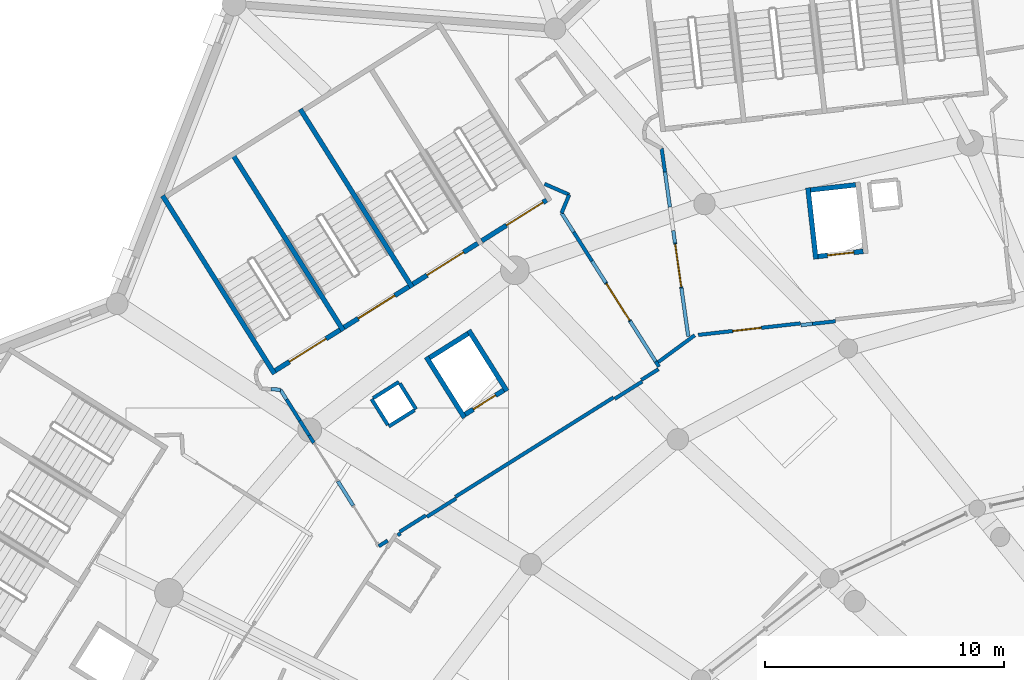
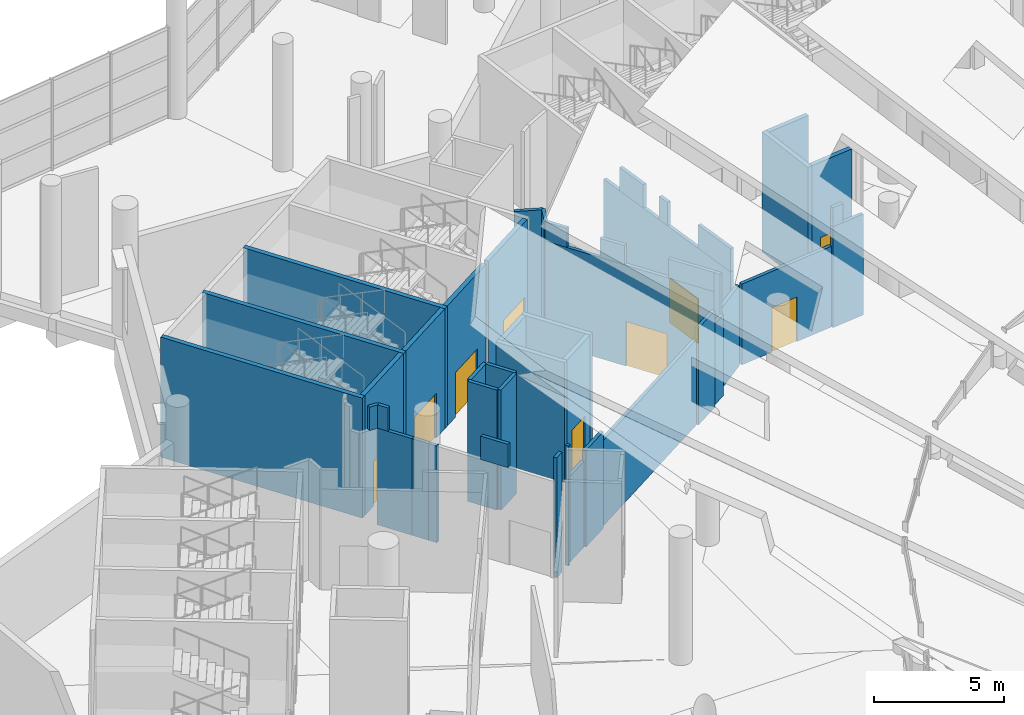
# One storey, part 163 of 249: 46 walls, 9 doors, 9 openings.
"""IFC4 building model written with IfcOpenShell, lengths in metres."""

import ifcopenshell
import ifcopenshell.guid

model = None  # the IFC model being written
_history = None  # IfcOwnerHistory: only IFC2X3 demands one
_inside = {}  # id of a spatial element -> (the spatial element, [elements in it])
_under = {}  # id of a project, library or spatial element -> (it, [spatial elements below it])
_declared = {}  # id of a project -> (the project, [libraries it declares])
_typed = {}  # id of a type object -> (the type object, [elements of that type])
_made_of = {}  # id of a material, layer set ... -> (it, [elements and type objects made of it])


def new_model(schema):
    """Start an empty IFC model of exactly this schema.

    Asked for "IFC4X3", IfcOpenShell would pick the latest addendum, in which some entities
    have other attributes; the version numbers below select the first issue.
    IFC2X3 requires an IfcOwnerHistory on every rooted entity: one is made here for all.
    """
    global model, _history
    if schema == "IFC4X3":
        model = ifcopenshell.file(schema_version=(4, 3, 0, 0))
    else:
        model = ifcopenshell.file(schema=schema)
    _inside.clear()
    _under.clear()
    _declared.clear()
    _typed.clear()
    _made_of.clear()
    _history = None
    if model.schema == "IFC2X3":
        org = make("IfcOrganization", Name="unknown")
        user = make(
            "IfcPersonAndOrganization",
            ThePerson=make("IfcPerson", FamilyName="unknown"),
            TheOrganization=org,
        )
        app = make(
            "IfcApplication",
            ApplicationDeveloper=org,
            Version="unknown",
            ApplicationFullName="unknown",
            ApplicationIdentifier="unknown",
        )
        _history = make(
            "IfcOwnerHistory",
            OwningUser=user,
            OwningApplication=app,
            ChangeAction="ADDED",
            CreationDate=0,
        )
    return model


def make(cls, **values):
    """One entity of the class cls with the attributes given. An attribute that is None is left unset."""
    return model.create_entity(
        cls, **{name: value for name, value in values.items() if value is not None}
    )


def rooted(cls, **values):
    """An entity with a GlobalId (a new one), such as an element, a storey or a relation."""
    return make(cls, GlobalId=ifcopenshell.guid.new(), OwnerHistory=_history, **values)


def si_unit(unit_type, name, prefix=None):
    """IfcSIUnit, for example si_unit("LENGTHUNIT", "METRE", prefix="MILLI")."""
    return make("IfcSIUnit", UnitType=unit_type, Prefix=prefix, Name=name)


def assignment(units):
    """IfcUnitAssignment: the units of a project."""
    return None if units is None else make("IfcUnitAssignment", Units=units)


def point(xyz):
    """IfcCartesianPoint."""
    return None if xyz is None else make("IfcCartesianPoint", Coordinates=xyz)


def direction(xyz):
    """IfcDirection."""
    return None if xyz is None else make("IfcDirection", DirectionRatios=xyz)


def frame(location, z_axis=None, x_axis=None):
    """IfcAxis2Placement3D, a coordinate frame: its origin and axes. An axis left out is left unset."""
    return make(
        "IfcAxis2Placement3D",
        Location=point(location),
        Axis=direction(z_axis),
        RefDirection=direction(x_axis),
    )


def frame_2d(location, x_axis=None):
    """IfcAxis2Placement2D, a coordinate frame in the plane: its origin and x axis."""
    return make(
        "IfcAxis2Placement2D", Location=point(location), RefDirection=direction(x_axis)
    )


def origin():
    """The frame at (0, 0, 0) with its axes left unset."""
    return frame((0.0, 0.0, 0.0))


def place(relative_to, where):
    """IfcLocalPlacement: puts the frame where relative to a parent placement (None: the world)."""
    return make(
        "IfcLocalPlacement", PlacementRelTo=relative_to, RelativePlacement=where
    )


def context(
    kind, dimensions, precision=None, world=None, true_north=None, identifier=None
):
    """IfcGeometricRepresentationContext, for example the 3D "Model" context."""
    return make(
        "IfcGeometricRepresentationContext",
        ContextIdentifier=identifier,
        ContextType=kind,
        CoordinateSpaceDimension=dimensions,
        Precision=precision,
        WorldCoordinateSystem=world,
        TrueNorth=true_north,
    )


def subcontext(parent, identifier, kind, view, scale=None):
    """IfcGeometricRepresentationSubContext, for example "Body" below "Model"."""
    return make(
        "IfcGeometricRepresentationSubContext",
        ContextIdentifier=identifier,
        ContextType=kind,
        ParentContext=parent,
        TargetScale=scale,
        TargetView=view,
    )


def project(units=None, contexts=None):
    """IfcProject with its units and contexts."""
    return rooted(
        "IfcProject",
        Name="project",
        RepresentationContexts=contexts,
        UnitsInContext=assignment(units),
    )


def spatial(cls, under=None, at=None, **own):
    """A site, building, storey or space (cls), placed at a placement, below another one or the project."""
    s = rooted(cls, ObjectPlacement=at, **own)
    if under is not None:
        _under.setdefault(under.id(), (under, []))[1].append(s)
    return s


def profile(cls, at=None, kind="AREA", **sizes):
    """A parametric profile (cls). Its sizes go by their IFC names, for example OverallWidth=200.0."""
    return make(cls, ProfileType=kind, Position=at, **sizes)


def rectangle(**sizes):
    """IfcRectangleProfileDef."""
    return profile("IfcRectangleProfileDef", **sizes)


def extrude(swept, where, along, depth):
    """IfcExtrudedAreaSolid: the profile swept, set in the frame where, extruded along a direction by depth."""
    return make(
        "IfcExtrudedAreaSolid",
        SweptArea=swept,
        Position=where,
        ExtrudedDirection=direction(along),
        Depth=depth,
    )


def shape(context_of_items, identifier, shape_type, items):
    """IfcShapeRepresentation: the items that make up one representation, for example the "Body"."""
    return make(
        "IfcShapeRepresentation",
        ContextOfItems=context_of_items,
        RepresentationIdentifier=identifier,
        RepresentationType=shape_type,
        Items=items,
    )


def material(Name=None, Category=None):
    """IfcMaterial."""
    return make("IfcMaterial", Name=Name, Category=Category)


def layer(
    of_material, thickness, ventilated=None, Name=None, Category=None, Priority=None
):
    """IfcMaterialLayer: one layer of a wall or slab, of a material (None: an air gap)."""
    return make(
        "IfcMaterialLayer",
        Material=of_material,
        LayerThickness=thickness,
        IsVentilated=ventilated,
        Name=Name,
        Category=Category,
        Priority=Priority,
    )


def layer_set(layers, Name=None):
    """IfcMaterialLayerSet."""
    return make("IfcMaterialLayerSet", MaterialLayers=layers, LayerSetName=Name)


def made_of(thing, what):
    """Note that an element or type object is made of a material, layer set ...; save() writes the relation."""
    if what is not None:
        _made_of.setdefault(what.id(), (what, []))[1].append(thing)
    return thing


def type_object(cls, material=None, **own):
    """A type object (cls), such as IfcWallType, which elements share."""
    return made_of(rooted(cls, **own), material)


def element(
    cls,
    number,
    at=None,
    inside=None,
    cuts=None,
    type_object=None,
    material=None,
    context=None,
    identifier="Body",
    shape_type=None,
    held_by="IfcProductDefinitionShape",
    body=None,
    shapes=None,
    **own,
):
    """One element of the class cls, such as IfcWall. Its Tag is "e" and its number.

    at: its placement. inside: the storey or other place that contains it. cuts: it is an
    opening in that element (IfcRelVoidsElement). A single representation is given by context,
    identifier, shape_type and body (its items); several are given by shapes. held_by: the class
    of the entity that holds the representations. save() writes the other relations.
    """
    e = rooted(cls, Tag="e%d" % number, ObjectPlacement=at, **own)
    if body is not None:
        shapes = [shape(context, identifier, shape_type, body)]
    if shapes is not None:
        e.Representation = make(held_by, Representations=shapes)
    if inside is not None:
        _inside.setdefault(inside.id(), (inside, []))[1].append(e)
    if cuts is not None:
        rooted(
            "IfcRelVoidsElement", RelatingBuildingElement=cuts, RelatedOpeningElement=e
        )
    if type_object is not None:
        _typed.setdefault(type_object.id(), (type_object, []))[1].append(e)
    return made_of(e, material)


def fill(opening, filler):
    """IfcRelFillsElement: the door or window that sits in an opening."""
    return rooted(
        "IfcRelFillsElement",
        RelatingOpeningElement=opening,
        RelatedBuildingElement=filler,
    )


def aggregate(whole, parts):
    """IfcRelAggregates: a whole, such as a stair, and the parts it consists of."""
    return rooted("IfcRelAggregates", RelatingObject=whole, RelatedObjects=parts)


def save(model, path):
    """Write the relations noted so far, then the file.

    IfcRelAggregates (storeys below a building ...), IfcRelContainedInSpatialStructure (elements
    in a storey), IfcRelDefinesByType, IfcRelAssociatesMaterial and IfcRelDeclares: one each for
    every whole, place, type object, material and project.
    """
    for whole, parts in _under.values():
        aggregate(whole, parts)
    for where, things in _inside.values():
        rooted(
            "IfcRelContainedInSpatialStructure",
            RelatedElements=things,
            RelatingStructure=where,
        )
    for kind, things in _typed.values():
        rooted("IfcRelDefinesByType", RelatedObjects=things, RelatingType=kind)
    for what, things in _made_of.values():
        rooted("IfcRelAssociatesMaterial", RelatedObjects=things, RelatingMaterial=what)
    for by, libraries in _declared.values():
        rooted("IfcRelDeclares", RelatingContext=by, RelatedDefinitions=libraries)
    model.write(path)


model = new_model("IFC4")

# Units and contexts
model_context = context("Model", 3, precision=1e-05, world=origin(), true_north=direction((0.0, 1.0)))
body_context = subcontext(model_context, "Body", "Model", "MODEL_VIEW")
ifc_project = project(units=[si_unit("LENGTHUNIT", "METRE"), si_unit("AREAUNIT", "SQUARE_METRE"), si_unit("VOLUMEUNIT", "CUBIC_METRE"), si_unit("PLANEANGLEUNIT", "RADIAN"), si_unit("MASSUNIT", "GRAM", prefix="KILO")], contexts=[model_context])

# Site, building, storey
site_placement = place(None, origin())
site = spatial("IfcSite", under=ifc_project, at=site_placement, CompositionType="ELEMENT")
building_placement = place(site_placement, origin())
building = spatial("IfcBuilding", under=site, at=building_placement, Name="Meseta Stadium", CompositionType="ELEMENT")
storey_placement = place(building_placement, frame((0.0, 0.0, 12.0)))
storey = spatial("IfcBuildingStorey", under=building, at=storey_placement, Name="L02", CompositionType="ELEMENT", Elevation=12.0)

# Walls
ifc_material_1 = material(Name="Concrete C40/50", Category="concrete")
ifc_layer_1 = layer(ifc_material_1, 0.199951171875)
ifc_layer_set_1 = layer_set([ifc_layer_1], Name="Core divider wall 200")
wall_type_1 = type_object("IfcWallType", Name="Core divider wall 200", PredefinedType="SHEAR", material=ifc_layer_set_1)
wall_1_placement = place(storey_placement, frame((-75.5869140625, 90.696533203125, 0.0), z_axis=(0.0, 0.0, 1.0), x_axis=(0.532044832901, -0.846716183726, 0.0)))
element("IfcWall", 1, at=wall_1_placement, inside=storey, type_object=wall_type_1, Name="Core 13 L02 stair B divider wall", PredefinedType="SHEAR", context=body_context, shape_type="SweptSolid", body=[
    extrude(rectangle(XDim=8.7998046875, YDim=0.199951171875, at=frame_2d((4.39990234375, 0.0))), origin(), (0.0, 0.0, 1.0), 5.64990234375),
])
ifc_material_2 = material(Name="Concrete C40/50", Category="concrete")
ifc_layer_2 = layer(ifc_material_2, 0.199951171875)
ifc_layer_set_2 = layer_set([ifc_layer_2], Name="Core shaft wall 200")
wall_type_2 = type_object("IfcWallType", Name="Core shaft wall 200", PredefinedType="SHEAR", material=ifc_layer_set_2)
wall_2_placement = place(storey_placement, frame((-51.4755859375, 89.218505859375, 0.0), z_axis=(0.0, 0.0, 1.0), x_axis=(0.111976588553, -0.993710845073, 0.0)))
element("IfcWall", 2, at=wall_2_placement, inside=storey, type_object=wall_type_2, Name="Core 12 L02 lift shaft wall right", PredefinedType="SHEAR", context=body_context, shape_type="SweptSolid", body=[
    extrude(rectangle(XDim=3.0, YDim=0.199951171875, at=frame_2d((1.5, 0.0))), origin(), (0.0, 0.0, 1.0), 5.64990234375),
])
wall_3_placement = place(storey_placement, frame((-49.476806640625, 89.343017578125, 0.0), z_axis=(0.0, 0.0, 1.0), x_axis=(-0.993718105662, -0.11191213732, 0.0)))
element("IfcWall", 3, at=wall_3_placement, inside=storey, type_object=wall_type_2, Name="Core 12 L02 lift shaft back wall", PredefinedType="SHEAR", context=body_context, shape_type="SweptSolid", body=[
    extrude(rectangle(XDim=1.900146484375, YDim=0.199951171875, at=frame_2d((0.9501953125, 0.0))), origin(), (0.0, 0.0, 1.0), 5.64990234375),
])

# Wall, opening, door
wall_4_placement = place(storey_placement, frame((-49.163330078125, 86.560791015625, 0.0), z_axis=(0.0, 0.0, 1.0), x_axis=(-0.993703808847, -0.112039012324, 0.0)))
wall_4 = element("IfcWall", 4, at=wall_4_placement, inside=storey, type_object=wall_type_2, Name="Core 12 L02 lift shaft front wall", PredefinedType="SHEAR", context=body_context, shape_type="SweptSolid", body=[
    extrude(rectangle(XDim=1.900146484375, YDim=0.199951171875, at=frame_2d((0.9501953125, 0.0))), origin(), (0.0, 0.0, 1.0), 5.64990234375),
])
opening_1_placement = place(wall_4_placement, frame((0.39990234375, 0.0, 0.0)))
opening_1 = element("IfcOpeningElement", 5, at=opening_1_placement, cuts=wall_4, Name="Opening LD66", PredefinedType="OPENING", context=body_context, shape_type="SweptSolid", body=[
    extrude(rectangle(XDim=1.10009765625, YDim=2.10009765625, at=frame_2d((0.550048828125, 1.050048828125))), frame((0.0, 0.10986328125, 0.0), z_axis=(0.0, -1.0, 0.0), x_axis=(1.0, 0.0, 0.0)), (0.0, 0.0, 1.0), 0.219970703125),
])
ifc_material_3 = material(Name="Steel", Category="steel")
door_type_1 = type_object("IfcDoorType", Name="Lift landing door 1100x2100", OperationType="SLIDING_TO_LEFT", PredefinedType="DOOR", material=ifc_material_3)
door_1_placement = place(opening_1_placement, origin())
door_1 = element("IfcDoor", 6, at=door_1_placement, inside=storey, type_object=door_type_1, Name="Lift landing door LD66", OperationType="SLIDING_TO_RIGHT", OverallHeight=2.10009765625, OverallWidth=1.10009765625, PredefinedType="DOOR", context=body_context, shape_type="SweptSolid", body=[
    extrude(rectangle(XDim=1.10009765625, YDim=2.10009765625, at=frame_2d((0.550048828125, 1.050048828125))), frame((0.0, 0.02490234375, 0.0), z_axis=(0.0, -1.0, 0.0), x_axis=(1.0, 0.0, 0.0)), (0.0, 0.0, 1.0), 0.050048828125),
])
fill(opening_1, door_1)

# Walls
for number, where, z_axis, x_axis, name in (
    (7, (-72.7080078125, 92.505615234375, 0.0), (0.0, 0.0, 1.0), (0.532032334759, -0.846724036963, 0.0), "Core 13 L02 stair wall shared"),
    (8, (-78.4658203125, 88.8876953125, 0.0), (0.0, 0.0, 1.0), (0.532032334759, -0.846724036963, 0.0), "Core 13 L02 stair wall B-side"),
):
    element("IfcWall", number, at=place(storey_placement, frame(where, z_axis=z_axis, x_axis=x_axis)), inside=storey, type_object=wall_type_2, Name=name, PredefinedType="SHEAR", context=body_context, shape_type="SweptSolid", body=[
        extrude(rectangle(XDim=8.800048828125, YDim=0.199951171875, at=frame_2d((4.39990234375, 0.0))), origin(), (0.0, 0.0, 1.0), 5.64990234375),
    ])

# Wall, opening, door
wall_5_placement = place(storey_placement, frame((-62.40625, 88.70361328125, 0.0), z_axis=(0.0, 0.0, 1.0), x_axis=(-0.846735733015, -0.532013720158, 0.0)))
wall_5 = element("IfcWall", 9, at=wall_5_placement, inside=storey, type_object=wall_type_2, Name="Core 13 L02 stair A1 inner end wall", PredefinedType="SHEAR", context=body_context, shape_type="SweptSolid", body=[
    extrude(rectangle(XDim=3.199951171875, YDim=0.199951171875, at=frame_2d((1.60009765625, 0.0))), origin(), (0.0, 0.0, 1.0), 5.64990234375),
])
opening_2_placement = place(wall_5_placement, frame((0.177978515625, 0.0, 0.0)))
opening_2 = element("IfcOpeningElement", 10, at=opening_2_placement, cuts=wall_5, Name="Opening D1068", PredefinedType="OPENING", context=body_context, shape_type="SweptSolid", body=[
    extrude(rectangle(XDim=1.800048828125, YDim=2.10009765625, at=frame_2d((0.89990234375, 1.050048828125))), frame((0.0, 0.10986328125, 0.0), z_axis=(0.0, -1.0, 0.0), x_axis=(1.0, 0.0, 0.0)), (0.0, 0.0, 1.0), 0.219970703125),
])
ifc_material_4 = material(Name="Steel", Category="steel")
door_type_2 = type_object("IfcDoorType", Name="Stair door 1800x2100", OperationType="DOUBLE_DOOR_SINGLE_SWING", PredefinedType="DOOR", material=ifc_material_4)
door_2_placement = place(opening_2_placement, origin())
door_2 = element("IfcDoor", 11, at=door_2_placement, inside=storey, type_object=door_type_2, Name="Stair A1 door 13 L02", OperationType="DOUBLE_DOOR_SINGLE_SWING", OverallHeight=2.10009765625, OverallWidth=1.800048828125, PredefinedType="DOOR", context=body_context, shape_type="SweptSolid", body=[
    extrude(rectangle(XDim=1.800048828125, YDim=2.10009765625, at=frame_2d((0.89990234375, 1.050048828125))), frame((0.0, 0.02490234375, 0.0), z_axis=(0.0, -1.0, 0.0), x_axis=(1.0, 0.0, 0.0)), (0.0, 0.0, 1.0), 0.050048828125),
])
fill(opening_2, door_2)

wall_6_placement = place(storey_placement, frame((-65.28515625, 86.894775390625, 0.0), z_axis=(0.0, 0.0, 1.0), x_axis=(-0.846735733015, -0.532013720158, 0.0)))
wall_6 = element("IfcWall", 12, at=wall_6_placement, inside=storey, type_object=wall_type_2, Name="Core 13 L02 stair A2 inner end wall", PredefinedType="SHEAR", context=body_context, shape_type="SweptSolid", body=[
    extrude(rectangle(XDim=3.199951171875, YDim=0.199951171875, at=frame_2d((1.60009765625, 0.0))), origin(), (0.0, 0.0, 1.0), 5.64990234375),
])
opening_3_placement = place(wall_6_placement, frame((0.699951171875, 0.0, 0.0)))
opening_3 = element("IfcOpeningElement", 13, at=opening_3_placement, cuts=wall_6, Name="Opening D1064", PredefinedType="OPENING", context=body_context, shape_type="SweptSolid", body=[
    extrude(rectangle(XDim=1.800048828125, YDim=2.10009765625, at=frame_2d((0.89990234375, 1.050048828125))), frame((0.0, 0.10986328125, 0.0), z_axis=(0.0, -1.0, 0.0), x_axis=(1.0, 0.0, 0.0)), (0.0, 0.0, 1.0), 0.219970703125),
])
door_3_placement = place(opening_3_placement, origin())
door_3 = element("IfcDoor", 14, at=door_3_placement, inside=storey, type_object=door_type_2, Name="Stair A2 door 13 L02", OperationType="DOUBLE_DOOR_SINGLE_SWING", OverallHeight=2.10009765625, OverallWidth=1.800048828125, PredefinedType="DOOR", context=body_context, shape_type="SweptSolid", body=[
    extrude(rectangle(XDim=1.800048828125, YDim=2.10009765625, at=frame_2d((0.89990234375, 1.050048828125))), frame((0.0, 0.02490234375, 0.0), z_axis=(0.0, -1.0, 0.0), x_axis=(1.0, 0.0, 0.0)), (0.0, 0.0, 1.0), 0.050048828125),
])
fill(opening_3, door_3)

wall_7_placement = place(storey_placement, frame((-68.1640625, 85.0859375, 0.0), z_axis=(0.0, 0.0, 1.0), x_axis=(-0.84670136309, -0.53206841829, 0.0)))
wall_7 = element("IfcWall", 15, at=wall_7_placement, inside=storey, type_object=wall_type_2, Name="Core 13 L02 stair B1 inner end wall", PredefinedType="SHEAR", context=body_context, shape_type="SweptSolid", body=[
    extrude(rectangle(XDim=3.199951171875, YDim=0.199951171875, at=frame_2d((1.60009765625, 0.0))), origin(), (0.0, 0.0, 1.0), 5.64990234375),
])
opening_4_placement = place(wall_7_placement, frame((0.699951171875, 0.0, 0.0)))
opening_4 = element("IfcOpeningElement", 16, at=opening_4_placement, cuts=wall_7, Name="Opening D1061", PredefinedType="OPENING", context=body_context, shape_type="SweptSolid", body=[
    extrude(rectangle(XDim=1.800048828125, YDim=2.10009765625, at=frame_2d((0.89990234375, 1.050048828125))), frame((0.0, 0.10986328125, 0.0), z_axis=(0.0, -1.0, 0.0), x_axis=(1.0, 0.0, 0.0)), (0.0, 0.0, 1.0), 0.219970703125),
])
door_4_placement = place(opening_4_placement, origin())
door_4 = element("IfcDoor", 17, at=door_4_placement, inside=storey, type_object=door_type_2, Name="Stair B1 door 13 L02", OperationType="DOUBLE_DOOR_SINGLE_SWING", OverallHeight=2.10009765625, OverallWidth=1.800048828125, PredefinedType="DOOR", context=body_context, shape_type="SweptSolid", body=[
    extrude(rectangle(XDim=1.800048828125, YDim=2.10009765625, at=frame_2d((0.89990234375, 1.050048828125))), frame((0.0, 0.02490234375, 0.0), z_axis=(0.0, -1.0, 0.0), x_axis=(1.0, 0.0, 0.0)), (0.0, 0.0, 1.0), 0.050048828125),
])
fill(opening_4, door_4)

wall_8_placement = place(storey_placement, frame((-71.04296875, 83.27685546875, 0.0), z_axis=(0.0, 0.0, 1.0), x_axis=(-0.846735733015, -0.532013720158, 0.0)))
wall_8 = element("IfcWall", 18, at=wall_8_placement, inside=storey, type_object=wall_type_2, Name="Core 13 L02 stair B2 inner end wall", PredefinedType="SHEAR", context=body_context, shape_type="SweptSolid", body=[
    extrude(rectangle(XDim=3.199951171875, YDim=0.199951171875, at=frame_2d((1.60009765625, 0.0))), origin(), (0.0, 0.0, 1.0), 5.64990234375),
])
opening_5_placement = place(wall_8_placement, frame((0.699951171875, 0.0, 0.0)))
opening_5 = element("IfcOpeningElement", 19, at=opening_5_placement, cuts=wall_8, Name="Opening D1056", PredefinedType="OPENING", context=body_context, shape_type="SweptSolid", body=[
    extrude(rectangle(XDim=1.800048828125, YDim=2.10009765625, at=frame_2d((0.89990234375, 1.050048828125))), frame((0.0, 0.10986328125, 0.0), z_axis=(0.0, -1.0, 0.0), x_axis=(1.0, 0.0, 0.0)), (0.0, 0.0, 1.0), 0.219970703125),
])
door_5_placement = place(opening_5_placement, origin())
door_5 = element("IfcDoor", 20, at=door_5_placement, inside=storey, type_object=door_type_2, Name="Stair B2 door 13 L02", OperationType="DOUBLE_DOOR_SINGLE_SWING", OverallHeight=2.10009765625, OverallWidth=1.800048828125, PredefinedType="DOOR", context=body_context, shape_type="SweptSolid", body=[
    extrude(rectangle(XDim=1.800048828125, YDim=2.10009765625, at=frame_2d((0.89990234375, 1.050048828125))), frame((0.0, 0.02490234375, 0.0), z_axis=(0.0, -1.0, 0.0), x_axis=(1.0, 0.0, 0.0)), (0.0, 0.0, 1.0), 0.050048828125),
])
fill(opening_5, door_5)

# Walls
wall_9_placement = place(storey_placement, frame((-65.658935546875, 83.260498046875, 0.0), z_axis=(0.0, 0.0, 1.0), x_axis=(0.532074873955, -0.846697306306, 0.0)))
element("IfcWall", 21, at=wall_9_placement, inside=storey, type_object=wall_type_2, Name="Core 13 L02 lift shaft wall left", PredefinedType="SHEAR", context=body_context, shape_type="SweptSolid", body=[
    extrude(rectangle(XDim=3.0, YDim=0.199951171875, at=frame_2d((1.5, 0.0))), origin(), (0.0, 0.0, 1.0), 5.64990234375),
])
wall_10_placement = place(storey_placement, frame((-67.43701171875, 82.143310546875, 0.0), z_axis=(0.0, 0.0, 1.0), x_axis=(0.532038212918, -0.84672034344, 0.0)))
element("IfcWall", 22, at=wall_10_placement, inside=storey, type_object=wall_type_2, Name="Core 13 L02 lift shaft wall right", PredefinedType="SHEAR", context=body_context, shape_type="SweptSolid", body=[
    extrude(rectangle(XDim=3.000244140625, YDim=0.199951171875, at=frame_2d((1.5, 0.0))), origin(), (0.0, 0.0, 1.0), 5.64990234375),
])
wall_11_placement = place(storey_placement, frame((-65.6904296875, 83.122802734375, 0.0), z_axis=(0.0, 0.0, 1.0), x_axis=(-0.846674592738, -0.532111016623, 0.0)))
element("IfcWall", 23, at=wall_11_placement, inside=storey, type_object=wall_type_2, Name="Core 13 L02 lift shaft back wall", PredefinedType="SHEAR", context=body_context, shape_type="SweptSolid", body=[
    extrude(rectangle(XDim=1.89990234375, YDim=0.199951171875, at=frame_2d((0.949951171875, 0.0))), origin(), (0.0, 0.0, 1.0), 5.64990234375),
])

# Wall, opening, door
wall_12_placement = place(storey_placement, frame((-64.20068359375, 80.751708984375, 0.0), z_axis=(0.0, 0.0, 1.0), x_axis=(-0.846768850524, -0.531961007765, 0.0)))
wall_12 = element("IfcWall", 24, at=wall_12_placement, inside=storey, type_object=wall_type_2, Name="Core 13 L02 lift shaft front wall", PredefinedType="SHEAR", context=body_context, shape_type="SweptSolid", body=[
    extrude(rectangle(XDim=1.900146484375, YDim=0.199951171875, at=frame_2d((0.9501953125, 0.0))), origin(), (0.0, 0.0, 1.0), 5.64990234375),
])
opening_6_placement = place(wall_12_placement, frame((0.39990234375, 0.0, 0.0)))
opening_6 = element("IfcOpeningElement", 25, at=opening_6_placement, cuts=wall_12, Name="Opening LD71", PredefinedType="OPENING", context=body_context, shape_type="SweptSolid", body=[
    extrude(rectangle(XDim=1.10009765625, YDim=2.10009765625, at=frame_2d((0.550048828125, 1.050048828125))), frame((0.0, 0.10986328125, 0.0), z_axis=(0.0, -1.0, 0.0), x_axis=(1.0, 0.0, 0.0)), (0.0, 0.0, 1.0), 0.219970703125),
])
door_6_placement = place(opening_6_placement, origin())
door_6 = element("IfcDoor", 26, at=door_6_placement, inside=storey, type_object=door_type_1, Name="Lift landing door LD71", OperationType="SLIDING_TO_LEFT", OverallHeight=2.10009765625, OverallWidth=1.10009765625, PredefinedType="DOOR", context=body_context, shape_type="SweptSolid", body=[
    extrude(rectangle(XDim=1.10009765625, YDim=2.10009765625, at=frame_2d((0.550048828125, 1.050048828125))), frame((0.0, 0.02490234375, 0.0), z_axis=(0.0, -1.0, 0.0), x_axis=(1.0, 0.0, 0.0)), (0.0, 0.0, 1.0), 0.050048828125),
])
fill(opening_6, door_6)

# Walls
ifc_material_5 = material(Name="Masonry blockwork", Category="masonry")
ifc_layer_3 = layer(ifc_material_5, 0.14990234375)
ifc_layer_set_3 = layer_set([ifc_layer_3], Name="Partition 150")
wall_type_3 = type_object("IfcWallType", Name="Partition 150", PredefinedType="PARTITIONING", material=ifc_layer_set_3)
wall_13_placement = place(storey_placement, frame((-58.4365234375, 81.18505859375, 0.0), z_axis=(0.0, 0.0, 1.0), x_axis=(0.846703986053, 0.532064244244, 0.0)))
element("IfcWall", 27, at=wall_13_placement, inside=storey, type_object=wall_type_3, Name="Partition L02 L02-cell11-0-0", PredefinedType="PARTITIONING", context=body_context, shape_type="SweptSolid", body=[
    extrude(rectangle(XDim=0.8388671875, YDim=0.14990234375, at=frame_2d((0.41943359375, 0.0))), origin(), (0.0, 0.0, 1.0), 3.800537109375),
])
wall_14_placement = place(storey_placement, frame((-57.796142578125, 81.883544921875, 0.0), z_axis=(0.0, 0.0, 1.0), x_axis=(0.805706705003, 0.592314701416, 0.0)))
element("IfcWall", 28, at=wall_14_placement, inside=storey, type_object=wall_type_3, Name="Partition L02 L02-cell11-0-0", PredefinedType="PARTITIONING", context=body_context, shape_type="SweptSolid", body=[
    extrude(rectangle(XDim=1.968994140625, YDim=0.14990234375, at=frame_2d((0.984375, 0.0))), origin(), (0.0, 0.0, 1.0), 3.800537109375),
])

# Wall, opening, door
wall_15_placement = place(storey_placement, frame((-56.060302734375, 83.06640625, 0.0), z_axis=(0.0, 0.0, 1.0), x_axis=(0.993712844466, 0.111958843972, 0.0)))
wall_15 = element("IfcWall", 29, at=wall_15_placement, inside=storey, type_object=wall_type_3, Name="Partition L02 L02-cell11-0-0", PredefinedType="PARTITIONING", context=body_context, shape_type="SweptSolid", body=[
    extrude(rectangle(XDim=4.298095703125, YDim=0.14990234375, at=frame_2d((2.14892578125, 0.0))), origin(), (0.0, 0.0, 1.0), 3.800537109375),
])
opening_7_placement = place(wall_15_placement, frame((1.449951171875, 0.0, 0.0)))
opening_7 = element("IfcOpeningElement", 30, at=opening_7_placement, cuts=wall_15, Name="Opening D1079", PredefinedType="OPENING", context=body_context, shape_type="SweptSolid", body=[
    extrude(rectangle(XDim=1.199951171875, YDim=2.10009765625, at=frame_2d((0.60009765625, 1.050048828125))), frame((0.0, 0.0849609375, 0.0), z_axis=(0.0, -1.0, 0.0), x_axis=(1.0, 0.0, 0.0)), (0.0, 0.0, 1.0), 0.169921875),
])
ifc_material_6 = material(Name="Steel", Category="steel")
door_type_3 = type_object("IfcDoorType", Name="Fire door 1200x2100 EI2 60", OperationType="NOTDEFINED", PredefinedType="DOOR", material=ifc_material_6)
door_7_placement = place(opening_7_placement, origin())
door_7 = element("IfcDoor", 31, at=door_7_placement, inside=storey, type_object=door_type_3, Name="Room door L02 L02-cell11-0-0", OperationType="SINGLE_SWING_LEFT", OverallHeight=2.10009765625, OverallWidth=1.199951171875, PredefinedType="DOOR", context=body_context, shape_type="SweptSolid", body=[
    extrude(rectangle(XDim=1.199951171875, YDim=2.10009765625, at=frame_2d((0.60009765625, 1.050048828125))), frame((0.0, 0.02490234375, 0.0), z_axis=(0.0, -1.0, 0.0), x_axis=(1.0, 0.0, 0.0)), (0.0, 0.0, 1.0), 0.050048828125),
])
fill(opening_7, door_7)

# Walls
wall_16_placement = place(storey_placement, frame((-68.547607421875, 74.83154296875, 0.0), z_axis=(0.0, 0.0, 1.0), x_axis=(0.846736781525, 0.53201205138, 0.0)))
element("IfcWall", 32, at=wall_16_placement, inside=storey, type_object=wall_type_3, Name="Partition L02 L02-cell12-0-0", PredefinedType="PARTITIONING", context=body_context, shape_type="SweptSolid", body=[
    extrude(rectangle(XDim=1.285400390625, YDim=0.14990234375, at=frame_2d((0.642578125, 0.0))), origin(), (0.0, 0.0, 1.0), 4.0263671875),
])
wall_17_placement = place(storey_placement, frame((-66.21875, 76.294921875, 0.0), z_axis=(0.0, 0.0, 1.0), x_axis=(0.846710948696, 0.532053164035, 0.0)))
element("IfcWall", 33, at=wall_17_placement, inside=storey, type_object=wall_type_3, Name="Partition L02 L02-cell12-0-0", PredefinedType="PARTITIONING", context=body_context, shape_type="SweptSolid", body=[
    extrude(rectangle(XDim=7.81396484375, YDim=0.14990234375, at=frame_2d((3.906982421875, 0.0))), origin(), (0.0, 0.0, 1.0), 4.0263671875),
])

# Wall, opening, door
wall_18_placement = place(storey_placement, frame((-57.592529296875, 90.867431640625, 0.0), z_axis=(0.0, 0.0, 1.0), x_axis=(0.140232964497, -0.990118536171, 0.0)))
wall_18 = element("IfcWall", 34, at=wall_18_placement, inside=storey, type_object=wall_type_3, Name="Stair vestibule wall L02 core 12", PredefinedType="PARTITIONING", context=body_context, shape_type="SweptSolid", body=[
    extrude(rectangle(XDim=7.938720703125, YDim=0.14990234375, at=frame_2d((3.96923828125, 0.0))), origin(), (0.0, 0.0, 1.0), 4.550048828125),
])
opening_8_placement = place(wall_18_placement, frame((4.050048828125, 0.0, 0.0)))
opening_8 = element("IfcOpeningElement", 35, at=opening_8_placement, cuts=wall_18, Name="Opening D1075", PredefinedType="OPENING", context=body_context, shape_type="SweptSolid", body=[
    extrude(rectangle(XDim=1.800048828125, YDim=2.10009765625, at=frame_2d((0.89990234375, 1.050048828125))), frame((0.0, 0.0849609375, 0.0), z_axis=(0.0, -1.0, 0.0), x_axis=(1.0, 0.0, 0.0)), (0.0, 0.0, 1.0), 0.169921875),
])
ifc_material_7 = material(Name="Steel", Category="steel")
door_type_4 = type_object("IfcDoorType", Name="Fire double door 1800x2100 EI2 60", OperationType="DOUBLE_DOOR_SINGLE_SWING", PredefinedType="DOOR", material=ifc_material_7)
door_8_placement = place(opening_8_placement, origin())
door_8 = element("IfcDoor", 36, at=door_8_placement, inside=storey, type_object=door_type_4, Name="Stair vestibule door L02 core 12", OperationType="DOUBLE_DOOR_SINGLE_SWING", OverallHeight=2.10009765625, OverallWidth=1.800048828125, PredefinedType="DOOR", context=body_context, shape_type="SweptSolid", body=[
    extrude(rectangle(XDim=1.800048828125, YDim=2.10009765625, at=frame_2d((0.89990234375, 1.050048828125))), frame((0.0, 0.02490234375, 0.0), z_axis=(0.0, -1.0, 0.0), x_axis=(1.0, 0.0, 0.0)), (0.0, 0.0, 1.0), 0.050048828125),
])
fill(opening_8, door_8)

# Walls
wall_19_placement = place(storey_placement, frame((-57.453369140625, 89.885009765625, 4.550048828125), z_axis=(0.0, 0.0, 1.0), x_axis=(0.140227271462, -0.990119342473, 0.0)))
element("IfcWall", 37, at=wall_19_placement, inside=storey, type_object=wall_type_3, Name="Stair vestibule wall L02 core 12", PredefinedType="PARTITIONING", context=body_context, shape_type="SweptSolid", body=[
    extrude(rectangle(XDim=1.488525390625, YDim=0.14990234375, at=frame_2d((0.744140625, 0.0))), origin(), (0.0, 0.0, 1.0), 1.099853515625),
])
wall_20_placement = place(storey_placement, frame((-57.10546875, 87.4287109375, 4.550048828125), z_axis=(0.0, 0.0, 1.0), x_axis=(0.140383460203, -0.99009720942, 0.0)))
element("IfcWall", 38, at=wall_20_placement, inside=storey, type_object=wall_type_3, Name="Stair vestibule wall L02 core 12", PredefinedType="PARTITIONING", context=body_context, shape_type="SweptSolid", body=[
    extrude(rectangle(XDim=0.52685546875, YDim=0.14990234375, at=frame_2d((0.263427734375, 0.0))), origin(), (0.0, 0.0, 1.0), 1.099853515625),
])
wall_21_placement = place(storey_placement, frame((-51.77099609375, 83.474365234375, 0.0), z_axis=(0.0, 0.0, 1.0), x_axis=(0.993709511216, 0.111988424929, 0.0)))
element("IfcWall", 39, at=wall_21_placement, inside=storey, type_object=wall_type_3, Name="Stair vestibule wall L02 core 12", PredefinedType="PARTITIONING", context=body_context, shape_type="SweptSolid", body=[
    extrude(rectangle(XDim=1.462890625, YDim=0.14990234375, at=frame_2d((0.7314453125, 0.0))), origin(), (0.0, 0.0, 1.0), 4.75),
])
wall_22_placement = place(storey_placement, frame((-51.77099609375, 83.474365234375, 4.75), z_axis=(0.0, 0.0, 1.0), x_axis=(0.993748684421, 0.111640280416, 0.0)))
element("IfcWall", 40, at=wall_22_placement, inside=storey, type_object=wall_type_3, Name="Stair vestibule wall L02 core 12", PredefinedType="PARTITIONING", context=body_context, shape_type="SweptSolid", body=[
    extrude(rectangle(XDim=0.487548828125, YDim=0.14990234375, at=frame_2d((0.24365234375, 0.0))), origin(), (0.0, 0.0, 1.0), 0.89990234375),
])
for number, where, z_axis, x_axis, name in (
    (41, (-68.58203125, 81.09912109375, 0.0), (0.0, 0.0, 1.0), (-0.846683377265, -0.532097038765, 0.0), "Pressurisation shaft wall L02 core 13"),
    (42, (-69.72509765625, 80.380859375, 0.0), (0.0, 0.0, 1.0), (0.532097038765, -0.846683377265, 0.0), "Pressurisation shaft wall L02 core 13"),
):
    element("IfcWall", number, at=place(storey_placement, frame(where, z_axis=z_axis, x_axis=x_axis)), inside=storey, type_object=wall_type_3, Name=name, PredefinedType="PARTITIONING", context=body_context, shape_type="SweptSolid", body=[
        extrude(rectangle(XDim=1.275146484375, YDim=0.14990234375, at=frame_2d((0.6376953125, 0.0))), origin(), (0.0, 0.0, 1.0), 5.64990234375),
    ])
for number, where, z_axis, x_axis, name in (
    (43, (-69.0068359375, 79.23779296875, 0.0), (0.0, 0.0, 1.0), (0.846769635862, 0.531959757672, 0.0), "Pressurisation shaft wall L02 core 13"),
    (44, (-67.86376953125, 79.9560546875, 0.0), (0.0, 0.0, 1.0), (-0.531959757672, 0.846769635862, 0.0), "Pressurisation shaft wall L02 core 13"),
):
    element("IfcWall", number, at=place(storey_placement, frame(where, z_axis=z_axis, x_axis=x_axis)), inside=storey, type_object=wall_type_3, Name=name, PredefinedType="PARTITIONING", context=body_context, shape_type="SweptSolid", body=[
        extrude(rectangle(XDim=1.27490234375, YDim=0.14990234375, at=frame_2d((0.637451171875, 0.0))), origin(), (0.0, 0.0, 1.0), 5.64990234375),
    ])
wall_23_placement = place(storey_placement, frame((-73.93701171875, 80.79541015625, 4.550048828125), z_axis=(0.0, 0.0, 1.0), x_axis=(0.998641436445, -0.052108362245, 0.0)))
element("IfcWall", 45, at=wall_23_placement, inside=storey, type_object=wall_type_3, Name="Stair vestibule wall L02 core 13", PredefinedType="PARTITIONING", context=body_context, shape_type="SweptSolid", body=[
    extrude(rectangle(XDim=0.398193359375, YDim=0.14990234375, at=frame_2d((0.19921875, 0.0))), origin(), (0.0, 0.0, 1.0), 1.099853515625),
])
wall_24_placement = place(storey_placement, frame((-73.539306640625, 80.774658203125, 0.0), z_axis=(0.0, 0.0, 1.0), x_axis=(0.532103006557, -0.846679626785, 0.0)))
element("IfcWall", 46, at=wall_24_placement, inside=storey, type_object=wall_type_3, Name="Stair vestibule wall L02 core 13", PredefinedType="PARTITIONING", context=body_context, shape_type="SweptSolid", body=[
    extrude(rectangle(XDim=1.531982421875, YDim=0.14990234375, at=frame_2d((0.76611328125, 0.0))), origin(), (0.0, 0.0, 1.0), 4.550048828125),
])
wall_25_placement = place(storey_placement, frame((-73.539306640625, 80.774658203125, 4.550048828125), z_axis=(0.0, 0.0, 1.0), x_axis=(0.531995638284, -0.846747093793, 0.0)))
element("IfcWall", 47, at=wall_25_placement, inside=storey, type_object=wall_type_3, Name="Stair vestibule wall L02 core 13", PredefinedType="PARTITIONING", context=body_context, shape_type="SweptSolid", body=[
    extrude(rectangle(XDim=0.483154296875, YDim=0.14990234375, at=frame_2d((0.24169921875, 0.0))), origin(), (0.0, 0.0, 1.0), 1.099853515625),
])
wall_26_placement = place(storey_placement, frame((-71.1318359375, 76.943603515625, 4.550048828125), z_axis=(0.0, 0.0, 1.0), x_axis=(0.5320090412, -0.846738672839, 0.0)))
element("IfcWall", 48, at=wall_26_placement, inside=storey, type_object=wall_type_3, Name="Stair vestibule wall L02 core 13", PredefinedType="PARTITIONING", context=body_context, shape_type="SweptSolid", body=[
    extrude(rectangle(XDim=1.199951171875, YDim=0.14990234375, at=frame_2d((0.60009765625, 0.0))), origin(), (0.0, 0.0, 1.0), 1.099853515625),
])
wall_27_placement = place(storey_placement, frame((-69.425048828125, 74.227294921875, 0.0), z_axis=(0.0, 0.0, 1.0), x_axis=(0.846757169089, 0.531979601674, 0.0)))
element("IfcWall", 49, at=wall_27_placement, inside=storey, type_object=wall_type_3, Name="Stair vestibule wall L02 core 13", PredefinedType="PARTITIONING", context=body_context, shape_type="SweptSolid", body=[
    extrude(rectangle(XDim=0.44287109375, YDim=0.14990234375, at=frame_2d((0.221435546875, 0.0))), origin(), (0.0, 0.0, 1.0), 5.64990234375),
])
wall_28_placement = place(storey_placement, frame((-68.632568359375, 74.689697265625, 0.0), z_axis=(0.0, 0.0, 1.0), x_axis=(0.845995317019, 0.533190325852, 0.0)))
element("IfcWall", 50, at=wall_28_placement, inside=storey, type_object=wall_type_3, Name="Stair vestibule wall L02 core 13", PredefinedType="PARTITIONING", context=body_context, shape_type="SweptSolid", body=[
    extrude(rectangle(XDim=0.137451171875, YDim=0.14990234375, at=frame_2d((0.06884765625, 0.0))), origin(), (0.0, 0.0, 1.0), 5.64990234375),
])
wall_29_placement = place(storey_placement, frame((-67.410888671875, 75.457275390625, 0.0), z_axis=(0.0, 0.0, 1.0), x_axis=(0.846666992422, 0.532123109762, 0.0)))
element("IfcWall", 51, at=wall_29_placement, inside=storey, type_object=wall_type_3, Name="Stair vestibule wall L02 core 13", PredefinedType="PARTITIONING", context=body_context, shape_type="SweptSolid", body=[
    extrude(rectangle(XDim=1.4453125, YDim=0.14990234375, at=frame_2d((0.72265625, 0.0))), origin(), (0.0, 0.0, 1.0), 4.550048828125),
])
wall_30_placement = place(storey_placement, frame((-59.55419921875, 80.39404296875, 0.0), z_axis=(0.0, 0.0, 1.0), x_axis=(0.846692118789, 0.532083128825, 0.0)))
element("IfcWall", 52, at=wall_30_placement, inside=storey, type_object=wall_type_3, Name="Stair vestibule wall L02 core 13", PredefinedType="PARTITIONING", context=body_context, shape_type="SweptSolid", body=[
    extrude(rectangle(XDim=1.357177734375, YDim=0.14990234375, at=frame_2d((0.6787109375, 0.0))), origin(), (0.0, 0.0, 1.0), 4.550048828125),
])

# Wall, opening, door
wall_31_placement = place(storey_placement, frame((-57.840087890625, 81.951904296875, 0.0), z_axis=(0.0, 0.0, 1.0), x_axis=(-0.535334739104, 0.844639992605, 0.0)))
wall_31 = element("IfcWall", 53, at=wall_31_placement, inside=storey, type_object=wall_type_3, Name="Stair vestibule wall L02 core 13", PredefinedType="PARTITIONING", context=body_context, shape_type="SweptSolid", body=[
    extrude(rectangle(XDim=7.355712890625, YDim=0.14990234375, at=frame_2d((3.677734375, 0.0))), origin(), (0.0, 0.0, 1.0), 4.75),
])
opening_9_placement = place(wall_31_placement, frame((2.050048828125, 0.0, 0.0)))
opening_9 = element("IfcOpeningElement", 54, at=opening_9_placement, cuts=wall_31, Name="Opening D1072", PredefinedType="OPENING", context=body_context, shape_type="SweptSolid", body=[
    extrude(rectangle(XDim=1.800048828125, YDim=2.10009765625, at=frame_2d((0.89990234375, 1.050048828125))), frame((0.0, 0.0849609375, 0.0), z_axis=(0.0, -1.0, 0.0), x_axis=(1.0, 0.0, 0.0)), (0.0, 0.0, 1.0), 0.169921875),
])
door_9_placement = place(opening_9_placement, origin())
door_9 = element("IfcDoor", 55, at=door_9_placement, inside=storey, type_object=door_type_4, Name="Stair vestibule door L02 core 13", OperationType="DOUBLE_DOOR_SINGLE_SWING", OverallHeight=2.10009765625, OverallWidth=1.800048828125, PredefinedType="DOOR", context=body_context, shape_type="SweptSolid", body=[
    extrude(rectangle(XDim=1.800048828125, YDim=2.10009765625, at=frame_2d((0.89990234375, 1.050048828125))), frame((0.0, 0.02490234375, 0.0), z_axis=(0.0, -1.0, 0.0), x_axis=(1.0, 0.0, 0.0)), (0.0, 0.0, 1.0), 0.050048828125),
])
fill(opening_9, door_9)

# Walls
wall_32_placement = place(storey_placement, frame((-59.927978515625, 85.24609375, 4.75), z_axis=(0.0, 0.0, 1.0), x_axis=(-0.535353245771, 0.844628262754, 0.0)))
element("IfcWall", 56, at=wall_32_placement, inside=storey, type_object=wall_type_3, Name="Stair vestibule wall L02 core 13", PredefinedType="PARTITIONING", context=body_context, shape_type="SweptSolid", body=[
    extrude(rectangle(XDim=1.079833984375, YDim=0.14990234375, at=frame_2d((0.5400390625, 0.0))), origin(), (0.0, 0.0, 1.0), 0.89990234375),
])
wall_33_placement = place(storey_placement, frame((-61.26904296875, 87.3623046875, 4.75), z_axis=(0.0, 0.0, 1.0), x_axis=(-0.535461572683, 0.844559591847, 0.0)))
element("IfcWall", 57, at=wall_33_placement, inside=storey, type_object=wall_type_3, Name="Stair vestibule wall L02 core 13", PredefinedType="PARTITIONING", context=body_context, shape_type="SweptSolid", body=[
    extrude(rectangle(XDim=0.9501953125, YDim=0.14990234375, at=frame_2d((0.47509765625, 0.0))), origin(), (0.0, 0.0, 1.0), 0.89990234375),
])
wall_34_placement = place(storey_placement, frame((-61.77783203125, 88.164794921875, 0.0), z_axis=(0.0, 0.0, 1.0), x_axis=(0.385241733665, 0.92281569484, 0.0)))
element("IfcWall", 58, at=wall_34_placement, inside=storey, type_object=wall_type_3, Name="Stair vestibule wall L02 core 13", PredefinedType="PARTITIONING", context=body_context, shape_type="SweptSolid", body=[
    extrude(rectangle(XDim=0.830078125, YDim=0.14990234375, at=frame_2d((0.4150390625, 0.0))), origin(), (0.0, 0.0, 1.0), 5.64990234375),
])
wall_35_placement = place(storey_placement, frame((-61.4580078125, 88.930908203125, 0.0), z_axis=(0.0, 0.0, 1.0), x_axis=(-0.916321285773, 0.400443880263, 0.0)))
element("IfcWall", 59, at=wall_35_placement, inside=storey, type_object=wall_type_3, Name="Stair vestibule wall L02 core 13", PredefinedType="PARTITIONING", context=body_context, shape_type="SweptSolid", body=[
    extrude(rectangle(XDim=1.127197265625, YDim=0.14990234375, at=frame_2d((0.5634765625, 0.0))), origin(), (0.0, 0.0, 1.0), 5.64990234375),
])
wall_36_placement = place(storey_placement, frame((-72.72412109375, 79.4775390625, 0.0), z_axis=(0.0, 0.0, 1.0), x_axis=(0.531986173683, -0.846753040154, 0.0)))
element("IfcWall", 60, at=wall_36_placement, inside=storey, type_object=wall_type_3, Name="Stair vestibule wall L02 core 13", PredefinedType="PARTITIONING", context=body_context, shape_type="SweptSolid", body=[
    extrude(rectangle(XDim=0.728271484375, YDim=0.14990234375, at=frame_2d((0.3642578125, 0.0))), origin(), (0.0, 0.0, 1.0), 4.550048828125),
])
wall_37_placement = place(storey_placement, frame((-72.336669921875, 78.86083984375, 0.0), z_axis=(0.0, 0.0, 1.0), x_axis=(0.532226455425, -0.84660203174, 0.0)))
element("IfcWall", 61, at=wall_37_placement, inside=storey, type_object=wall_type_3, Name="Stair vestibule wall L02 core 13", PredefinedType="PARTITIONING", context=body_context, shape_type="SweptSolid", body=[
    extrude(rectangle(XDim=0.3642578125, YDim=0.14990234375, at=frame_2d((0.18212890625, 0.0))), origin(), (0.0, 0.0, 1.0), 4.550048828125),
])
wall_38_placement = place(storey_placement, frame((-57.70263671875, 81.735107421875, 0.0), z_axis=(0.0, 0.0, 1.0), x_axis=(-0.535459302441, 0.844561031204, 0.0)))
element("IfcWall", 62, at=wall_38_placement, inside=storey, type_object=wall_type_3, Name="Stair vestibule wall L02 core 13", PredefinedType="PARTITIONING", context=body_context, shape_type="SweptSolid", body=[
    extrude(rectangle(XDim=0.256591796875, YDim=0.14990234375, at=frame_2d((0.12841796875, 0.0))), origin(), (0.0, 0.0, 1.0), 5.64990234375),
])
wall_39_placement = place(storey_placement, frame((-56.76513671875, 85.02587890625, 4.550048828125), z_axis=(0.0, 0.0, 1.0), x_axis=(0.140214282748, -0.990121181934, 0.0)))
element("IfcWall", 63, at=wall_39_placement, inside=storey, type_object=wall_type_3, Name="Stair vestibule wall L02 core 12", PredefinedType="PARTITIONING", context=body_context, shape_type="SweptSolid", body=[
    extrude(rectangle(XDim=2.0390625, YDim=0.14990234375, at=frame_2d((1.01953125, 0.0))), origin(), (0.0, 0.0, 1.0), 1.099853515625),
])
wall_40_placement = place(storey_placement, frame((-57.840087890625, 81.951904296875, 4.75), z_axis=(0.0, 0.0, 1.0), x_axis=(-0.535397626239, 0.844600131315, 0.0)))
element("IfcWall", 64, at=wall_40_placement, inside=storey, type_object=wall_type_3, Name="Stair vestibule wall L02 core 13", PredefinedType="PARTITIONING", context=body_context, shape_type="SweptSolid", body=[
    extrude(rectangle(XDim=2.0, YDim=0.14990234375, at=frame_2d((1.0, 0.0))), origin(), (0.0, 0.0, 1.0), 0.89990234375),
])

save(model, "model.ifc")
